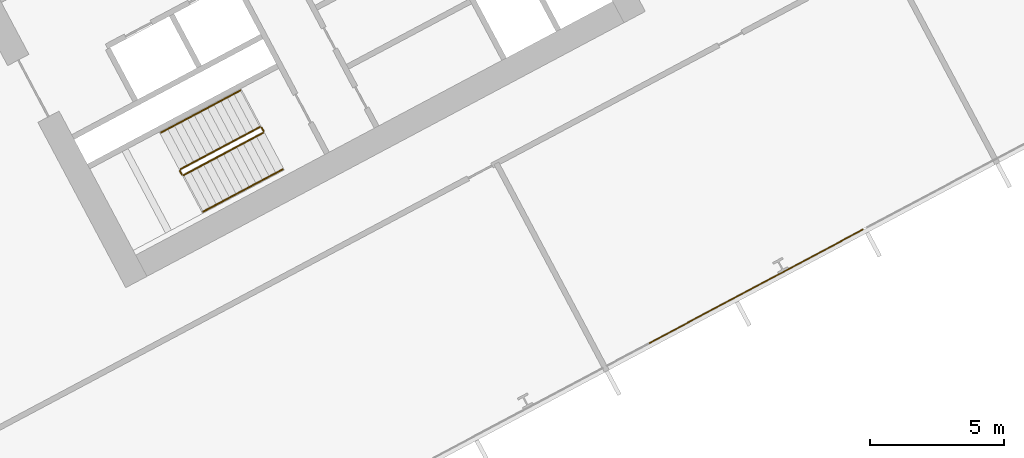
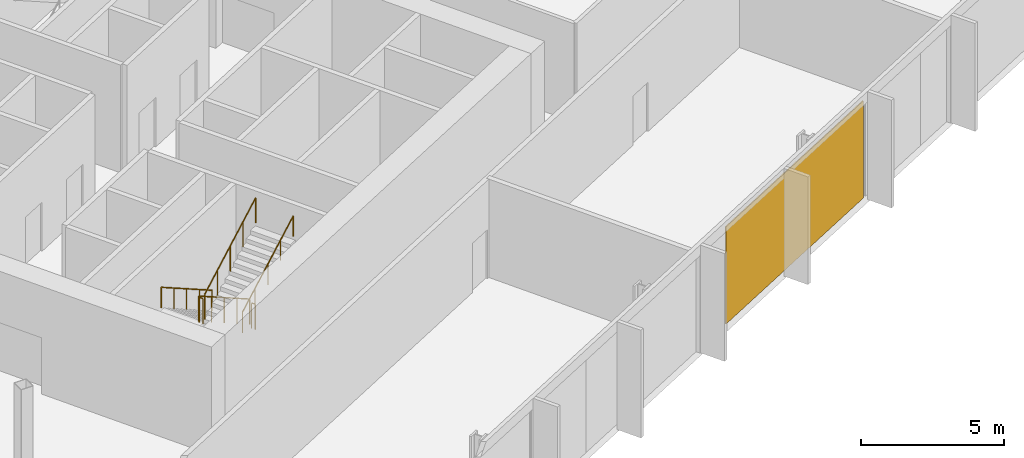
# One storey, part 28 of 32: 6 railings, 1 covering, 1 element without a shape of its own.
"""IFC4 building model written with IfcOpenShell, lengths in metres."""

from ifc_helpers import new_model, si_unit, direction, frame, origin, origin_2d, place, context, subcontext, project, spatial, polyline, rectangle, outline, extrude, material, layer, layer_set, type_object, element, aggregate, save


model = new_model("IFC4")

# Units and contexts
model_context = context("Model", 3, precision=1e-05, world=origin(), true_north=direction((0.0, 1.0)))
body_context = subcontext(model_context, "Body", "Model", "MODEL_VIEW")
ifc_project = project(units=[si_unit("LENGTHUNIT", "METRE"), si_unit("AREAUNIT", "SQUARE_METRE"), si_unit("VOLUMEUNIT", "CUBIC_METRE"), si_unit("PLANEANGLEUNIT", "RADIAN"), si_unit("MASSUNIT", "GRAM", prefix="KILO")], contexts=[model_context])

# Site, building, storey
site_placement = place(None, origin())
site = spatial("IfcSite", under=ifc_project, at=site_placement, CompositionType="ELEMENT")
building_placement = place(site_placement, origin())
building = spatial("IfcBuilding", under=site, at=building_placement, Name="Cormorant Relay Tower", CompositionType="ELEMENT")
storey_placement = place(building_placement, frame((0.0, 0.0, 75.39990234375)))
storey = spatial("IfcBuildingStorey", under=building, at=storey_placement, Name="L14", CompositionType="ELEMENT", Elevation=75.39990234375)

# Curtain wall, covering
ifc_material_1 = material(Name="Aluminium 6063-T6 anodised bronze", Category="aluminium")
ifc_layer_1 = layer(ifc_material_1, 0.199951171875)
ifc_layer_set_1 = layer_set([ifc_layer_1], Name="CW1 unitised bronze curtain wall with vertical fins")
curtain_wall_type = type_object("IfcCurtainWallType", Name="CW1 unitised bronze curtain wall with vertical fins", PredefinedType="NOTDEFINED", material=ifc_layer_set_1)
curtain_wall_placement = place(storey_placement, origin())
curtain_wall = element("IfcCurtainWall", 1, at=curtain_wall_placement, inside=storey, type_object=curtain_wall_type, Name="CW1 curtain wall 2", PredefinedType="NOTDEFINED")
ifc_material_2 = material(Name="Pale bronze anodised aluminium insulated panel", Category="aluminium")
ifc_layer_2 = layer(ifc_material_2, 0.0400390625)
ifc_layer_set_2 = layer_set([ifc_layer_2], Name="CW1 pale bronze insulated panel 40")
covering_type = type_object("IfcCoveringType", Name="CW1 pale bronze insulated panel 40", PredefinedType="CLADDING", material=ifc_layer_set_2)
covering_placement = place(storey_placement, frame((42.38623046875, -1.269287109375, 0.000244140625), z_axis=(0.0, 0.0, 1.0), x_axis=(0.882947592859, 0.469471562786, 0.0)))
covering = element("IfcCovering", 2, at=covering_placement, type_object=covering_type, Name="CW1 panel S09", PredefinedType="CLADDING", context=body_context, shape_type="SweptSolid", body=[
    extrude(rectangle(XDim=9.07373046875, YDim=0.0400390625, at=origin_2d()), origin(), (0.0, 0.0, 1.0), 4.14990234375),
])
aggregate(curtain_wall, [covering])

# Railings
ifc_material_3 = material(Name="Steel ASTM A572 Grade 50 (Fy 345 MPa)", Category="steel")
railing_type_1 = type_object("IfcRailingType", Name="Stair guard 1100", PredefinedType="GUARDRAIL", material=ifc_material_3)
railing_1_placement = place(storey_placement, frame((23.83837890625, 4.6904296875, 0.177001953125)))
element("IfcRailing", 3, at=railing_1_placement, inside=storey, type_object=railing_type_1, Name="L14 B1 stair guard 1", PredefinedType="GUARDRAIL", context=body_context, shape_type="SweptSolid", body=[
    extrude(outline(polyline([(0.022216796875, 0.00927734375), (0.00927734375, 0.022216796875), (-0.00927734375, 0.022216796875), (-0.022216796875, 0.00927734375), (-0.022216796875, -0.00927734375), (-0.00927734375, -0.022216796875), (0.00927734375, -0.022216796875), (0.022216796875, -0.00927734375), (0.022216796875, 0.00927734375)])), frame((0.0, 0.0, 1.076171875), z_axis=(-0.746440668329, -0.396869088057, 0.534154711306), x_axis=(0.46945269911, -0.882957622595, 0.0)), (0.0, 0.0, 1.0), 3.974609375),
    extrude(outline(polyline([(0.019287109375, 0.008056640625), (0.008056640625, 0.019287109375), (-0.008056640625, 0.019287109375), (-0.019287109375, 0.008056640625), (-0.019287109375, -0.008056640625), (-0.008056640625, -0.019287109375), (0.008056640625, -0.019287109375), (0.019287109375, -0.008056640625), (0.019287109375, 0.008056640625)])), origin(), (0.0, 0.0, 1.0), 1.052001953125),
    extrude(outline(polyline([(0.019287109375, 0.008056640625), (0.008056640625, 0.019287109375), (-0.008056640625, 0.019287109375), (-0.019287109375, 0.008056640625), (-0.019287109375, -0.008056640625), (-0.008056640625, -0.019287109375), (0.008056640625, -0.019287109375), (0.019287109375, -0.008056640625), (0.019287109375, 0.008056640625)])), frame((-0.74169921875, -0.394287109375, 0.53076171875)), (0.0, 0.0, 1.0), 1.052001953125),
    extrude(outline(polyline([(0.019287109375, 0.008056640625), (0.008056640625, 0.019287109375), (-0.008056640625, 0.019287109375), (-0.019287109375, 0.008056640625), (-0.019287109375, -0.008056640625), (-0.008056640625, -0.019287109375), (0.008056640625, -0.019287109375), (0.019287109375, -0.008056640625), (0.019287109375, 0.008056640625)])), frame((-1.4833984375, -0.78857421875, 1.0615234375)), (0.0, 0.0, 1.0), 1.052001953125),
    extrude(outline(polyline([(0.019287109375, 0.008056640625), (0.008056640625, 0.019287109375), (-0.008056640625, 0.019287109375), (-0.019287109375, 0.008056640625), (-0.019287109375, -0.008056640625), (-0.008056640625, -0.019287109375), (0.008056640625, -0.019287109375), (0.019287109375, -0.008056640625), (0.019287109375, 0.008056640625)])), frame((-2.22509765625, -1.18310546875, 1.59228515625)), (0.0, 0.0, 1.0), 1.052001953125),
    extrude(outline(polyline([(0.019287109375, 0.008056640625), (0.008056640625, 0.019287109375), (-0.008056640625, 0.019287109375), (-0.019287109375, 0.008056640625), (-0.019287109375, -0.008056640625), (-0.008056640625, -0.019287109375), (0.008056640625, -0.019287109375), (0.019287109375, -0.008056640625), (0.019287109375, 0.008056640625)])), frame((-2.966796875, -1.577392578125, 2.123046875)), (0.0, 0.0, 1.0), 1.052001953125),
])
railing_2_placement = place(storey_placement, frame((20.850830078125, 3.04541015625, 2.300048828125)))
element("IfcRailing", 4, at=railing_2_placement, inside=storey, type_object=railing_type_1, Name="L14 B1 stair guard 2", PredefinedType="GUARDRAIL", context=body_context, shape_type="SweptSolid", body=[
    extrude(outline(polyline([(0.022216796875, 0.00927734375), (0.00927734375, 0.022216796875), (-0.00927734375, 0.022216796875), (-0.022216796875, 0.00927734375), (-0.022216796875, -0.00927734375), (-0.00927734375, -0.022216796875), (0.00927734375, -0.022216796875), (0.022216796875, -0.00927734375), (0.022216796875, 0.00927734375)])), frame((0.0, 0.0, 1.076171875), z_axis=(0.469828648786, -0.882757634224, 0.0), x_axis=(0.882757634224, 0.469828648786, 0.0)), (0.0, 0.0, 1.0), 0.150146484375),
    extrude(outline(polyline([(0.019287109375, 0.008056640625), (0.008056640625, 0.019287109375), (-0.008056640625, 0.019287109375), (-0.019287109375, 0.008056640625), (-0.019287109375, -0.008056640625), (-0.008056640625, -0.019287109375), (0.008056640625, -0.019287109375), (0.019287109375, -0.008056640625), (0.019287109375, 0.008056640625)])), origin(), (0.0, 0.0, 1.0), 1.052001953125),
    extrude(outline(polyline([(0.019287109375, 0.008056640625), (0.008056640625, 0.019287109375), (-0.008056640625, 0.019287109375), (-0.019287109375, 0.008056640625), (-0.019287109375, -0.008056640625), (-0.008056640625, -0.019287109375), (0.008056640625, -0.019287109375), (0.019287109375, -0.008056640625), (0.019287109375, 0.008056640625)])), frame((0.070556640625, -0.132568359375, 0.0)), (0.0, 0.0, 1.0), 1.052001953125),
])
railing_3_placement = place(storey_placement, frame((20.989013671875, 2.892333984375, 2.47705078125)))
element("IfcRailing", 5, at=railing_3_placement, inside=storey, type_object=railing_type_1, Name="L14 B1 stair guard 3", PredefinedType="GUARDRAIL", context=body_context, shape_type="SweptSolid", body=[
    extrude(outline(polyline([(0.022216796875, 0.00927734375), (0.00927734375, 0.022216796875), (-0.00927734375, 0.022216796875), (-0.022216796875, 0.00927734375), (-0.022216796875, -0.00927734375), (-0.00927734375, -0.022216796875), (0.00927734375, -0.022216796875), (0.022216796875, -0.00927734375), (0.022216796875, 0.00927734375)])), frame((0.0, 0.0, 1.076171875), z_axis=(0.746413465702, 0.396887285154, 0.534179203172), x_axis=(-0.469482818608, 0.88294160794, 0.0)), (0.0, 0.0, 1.0), 3.974365234375),
    extrude(outline(polyline([(0.019287109375, 0.008056640625), (0.008056640625, 0.019287109375), (-0.008056640625, 0.019287109375), (-0.019287109375, 0.008056640625), (-0.019287109375, -0.008056640625), (-0.008056640625, -0.019287109375), (0.008056640625, -0.019287109375), (0.019287109375, -0.008056640625), (0.019287109375, 0.008056640625)])), origin(), (0.0, 0.0, 1.0), 1.052001953125),
    extrude(outline(polyline([(0.019287109375, 0.008056640625), (0.008056640625, 0.019287109375), (-0.008056640625, 0.019287109375), (-0.019287109375, 0.008056640625), (-0.019287109375, -0.008056640625), (-0.008056640625, -0.019287109375), (0.008056640625, -0.019287109375), (0.019287109375, -0.008056640625), (0.019287109375, 0.008056640625)])), frame((0.74169921875, 0.394287109375, 0.53076171875)), (0.0, 0.0, 1.0), 1.052001953125),
    extrude(outline(polyline([(0.019287109375, 0.008056640625), (0.008056640625, 0.019287109375), (-0.008056640625, 0.019287109375), (-0.019287109375, 0.008056640625), (-0.019287109375, -0.008056640625), (-0.008056640625, -0.019287109375), (0.008056640625, -0.019287109375), (0.019287109375, -0.008056640625), (0.019287109375, 0.008056640625)])), frame((1.4833984375, 0.78857421875, 1.0615234375)), (0.0, 0.0, 1.0), 1.052001953125),
    extrude(outline(polyline([(0.019287109375, 0.008056640625), (0.008056640625, 0.019287109375), (-0.008056640625, 0.019287109375), (-0.019287109375, 0.008056640625), (-0.019287109375, -0.008056640625), (-0.008056640625, -0.019287109375), (0.008056640625, -0.019287109375), (0.019287109375, -0.008056640625), (0.019287109375, 0.008056640625)])), frame((2.224853515625, 1.18310546875, 1.59228515625)), (0.0, 0.0, 1.0), 1.052001953125),
    extrude(outline(polyline([(0.019287109375, 0.008056640625), (0.008056640625, 0.019287109375), (-0.008056640625, 0.019287109375), (-0.019287109375, 0.008056640625), (-0.019287109375, -0.008056640625), (-0.008056640625, -0.019287109375), (0.008056640625, -0.019287109375), (0.019287109375, -0.008056640625), (0.019287109375, 0.008056640625)])), frame((2.966552734375, 1.577392578125, 2.123046875)), (0.0, 0.0, 1.0), 1.052001953125),
])
railing_4_placement = place(storey_placement, frame((23.906005859375, 4.669677734375, 0.0)))
element("IfcRailing", 6, at=railing_4_placement, inside=storey, type_object=railing_type_1, Name="L14 B1 stair guard 4", PredefinedType="GUARDRAIL", context=body_context, shape_type="SweptSolid", body=[
    extrude(outline(polyline([(0.022216796875, 0.00927734375), (0.00927734375, 0.022216796875), (-0.00927734375, 0.022216796875), (-0.022216796875, 0.00927734375), (-0.022216796875, -0.00927734375), (-0.00927734375, -0.022216796875), (0.00927734375, -0.022216796875), (0.022216796875, -0.00927734375), (0.022216796875, 0.00927734375)])), frame((0.0, 0.0, 1.076171875), z_axis=(0.469234640946, -0.883073525669, 0.0), x_axis=(0.883073525669, 0.469234640946, 0.0)), (0.0, 0.0, 1.0), 0.14990234375),
    extrude(outline(polyline([(0.019287109375, 0.008056640625), (0.008056640625, 0.019287109375), (-0.008056640625, 0.019287109375), (-0.019287109375, 0.008056640625), (-0.019287109375, -0.008056640625), (-0.008056640625, -0.019287109375), (0.008056640625, -0.019287109375), (0.019287109375, -0.008056640625), (0.019287109375, 0.008056640625)])), origin(), (0.0, 0.0, 1.0), 1.052001953125),
    extrude(outline(polyline([(0.019287109375, 0.008056640625), (0.008056640625, 0.019287109375), (-0.008056640625, 0.019287109375), (-0.019287109375, 0.008056640625), (-0.019287109375, -0.008056640625), (-0.008056640625, -0.019287109375), (0.008056640625, -0.019287109375), (0.019287109375, -0.008056640625), (0.019287109375, 0.008056640625)])), frame((0.0703125, -0.13232421875, 0.0)), (0.0, 0.0, 1.0), 1.052001953125),
])
ifc_material_4 = material(Name="Steel ASTM A572 Grade 50 (Fy 345 MPa)", Category="steel")
railing_type_2 = type_object("IfcRailingType", Name="Stair handrail 900", PredefinedType="HANDRAIL", material=ifc_material_4)
railing_5_placement = place(storey_placement, frame((23.110595703125, 6.05908203125, 0.177001953125)))
element("IfcRailing", 7, at=railing_5_placement, inside=storey, type_object=railing_type_2, Name="L14 B1 stair handrail 1", PredefinedType="HANDRAIL", context=body_context, shape_type="SweptSolid", body=[
    extrude(outline(polyline([(0.022216796875, 0.00927734375), (0.00927734375, 0.022216796875), (-0.00927734375, 0.022216796875), (-0.022216796875, 0.00927734375), (-0.022216796875, -0.00927734375), (-0.00927734375, -0.022216796875), (0.00927734375, -0.022216796875), (0.022216796875, -0.00927734375), (0.022216796875, 0.00927734375)])), frame((0.0, 0.0, 0.8759765625), z_axis=(-0.746413465702, -0.396887285154, 0.534179203172), x_axis=(0.469482818608, -0.88294160794, 0.0)), (0.0, 0.0, 1.0), 3.974365234375),
    extrude(outline(polyline([(0.019287109375, 0.008056640625), (0.008056640625, 0.019287109375), (-0.008056640625, 0.019287109375), (-0.019287109375, 0.008056640625), (-0.019287109375, -0.008056640625), (-0.008056640625, -0.019287109375), (0.008056640625, -0.019287109375), (0.019287109375, -0.008056640625), (0.019287109375, 0.008056640625)])), origin(), (0.0, 0.0, 1.0), 0.851806640625),
    extrude(outline(polyline([(0.019287109375, 0.008056640625), (0.008056640625, 0.019287109375), (-0.008056640625, 0.019287109375), (-0.019287109375, 0.008056640625), (-0.019287109375, -0.008056640625), (-0.008056640625, -0.019287109375), (0.008056640625, -0.019287109375), (0.019287109375, -0.008056640625), (0.019287109375, 0.008056640625)])), frame((-0.74169921875, -0.394287109375, 0.53076171875)), (0.0, 0.0, 1.0), 0.851806640625),
    extrude(outline(polyline([(0.019287109375, 0.008056640625), (0.008056640625, 0.019287109375), (-0.008056640625, 0.019287109375), (-0.019287109375, 0.008056640625), (-0.019287109375, -0.008056640625), (-0.008056640625, -0.019287109375), (0.008056640625, -0.019287109375), (0.019287109375, -0.008056640625), (0.019287109375, 0.008056640625)])), frame((-1.4833984375, -0.78857421875, 1.0615234375)), (0.0, 0.0, 1.0), 0.851806640625),
    extrude(outline(polyline([(0.019287109375, 0.008056640625), (0.008056640625, 0.019287109375), (-0.008056640625, 0.019287109375), (-0.019287109375, 0.008056640625), (-0.019287109375, -0.008056640625), (-0.008056640625, -0.019287109375), (0.008056640625, -0.019287109375), (0.019287109375, -0.008056640625), (0.019287109375, 0.008056640625)])), frame((-2.224853515625, -1.18310546875, 1.59228515625)), (0.0, 0.0, 1.0), 0.851806640625),
    extrude(outline(polyline([(0.019287109375, 0.008056640625), (0.008056640625, 0.019287109375), (-0.008056640625, 0.019287109375), (-0.019287109375, 0.008056640625), (-0.019287109375, -0.008056640625), (-0.008056640625, -0.019287109375), (0.008056640625, -0.019287109375), (0.019287109375, -0.008056640625), (0.019287109375, 0.008056640625)])), frame((-2.966552734375, -1.577392578125, 2.123046875)), (0.0, 0.0, 1.0), 0.851806640625),
])
railing_6_placement = place(storey_placement, frame((21.716552734375, 1.523681640625, 2.47705078125)))
element("IfcRailing", 8, at=railing_6_placement, inside=storey, type_object=railing_type_2, Name="L14 B1 stair handrail 2", PredefinedType="HANDRAIL", context=body_context, shape_type="SweptSolid", body=[
    extrude(outline(polyline([(0.022216796875, 0.00927734375), (0.00927734375, 0.022216796875), (-0.00927734375, 0.022216796875), (-0.022216796875, 0.00927734375), (-0.022216796875, -0.00927734375), (-0.00927734375, -0.022216796875), (0.00927734375, -0.022216796875), (0.022216796875, -0.00927734375), (0.022216796875, 0.00927734375)])), frame((0.0, 0.0, 0.8759765625), z_axis=(0.746440668329, 0.396869088057, 0.534154711306), x_axis=(-0.46945269911, 0.882957622595, 0.0)), (0.0, 0.0, 1.0), 3.974609375),
    extrude(outline(polyline([(0.019287109375, 0.008056640625), (0.008056640625, 0.019287109375), (-0.008056640625, 0.019287109375), (-0.019287109375, 0.008056640625), (-0.019287109375, -0.008056640625), (-0.008056640625, -0.019287109375), (0.008056640625, -0.019287109375), (0.019287109375, -0.008056640625), (0.019287109375, 0.008056640625)])), origin(), (0.0, 0.0, 1.0), 0.851806640625),
    extrude(outline(polyline([(0.019287109375, 0.008056640625), (0.008056640625, 0.019287109375), (-0.008056640625, 0.019287109375), (-0.019287109375, 0.008056640625), (-0.019287109375, -0.008056640625), (-0.008056640625, -0.019287109375), (0.008056640625, -0.019287109375), (0.019287109375, -0.008056640625), (0.019287109375, 0.008056640625)])), frame((0.74169921875, 0.394287109375, 0.53076171875)), (0.0, 0.0, 1.0), 0.851806640625),
    extrude(outline(polyline([(0.019287109375, 0.008056640625), (0.008056640625, 0.019287109375), (-0.008056640625, 0.019287109375), (-0.019287109375, 0.008056640625), (-0.019287109375, -0.008056640625), (-0.008056640625, -0.019287109375), (0.008056640625, -0.019287109375), (0.019287109375, -0.008056640625), (0.019287109375, 0.008056640625)])), frame((1.4833984375, 0.78857421875, 1.0615234375)), (0.0, 0.0, 1.0), 0.851806640625),
    extrude(outline(polyline([(0.019287109375, 0.008056640625), (0.008056640625, 0.019287109375), (-0.008056640625, 0.019287109375), (-0.019287109375, 0.008056640625), (-0.019287109375, -0.008056640625), (-0.008056640625, -0.019287109375), (0.008056640625, -0.019287109375), (0.019287109375, -0.008056640625), (0.019287109375, 0.008056640625)])), frame((2.22509765625, 1.18310546875, 1.59228515625)), (0.0, 0.0, 1.0), 0.851806640625),
    extrude(outline(polyline([(0.019287109375, 0.008056640625), (0.008056640625, 0.019287109375), (-0.008056640625, 0.019287109375), (-0.019287109375, 0.008056640625), (-0.019287109375, -0.008056640625), (-0.008056640625, -0.019287109375), (0.008056640625, -0.019287109375), (0.019287109375, -0.008056640625), (0.019287109375, 0.008056640625)])), frame((2.966796875, 1.577392578125, 2.123046875)), (0.0, 0.0, 1.0), 0.851806640625),
])

save(model, "model.ifc")
